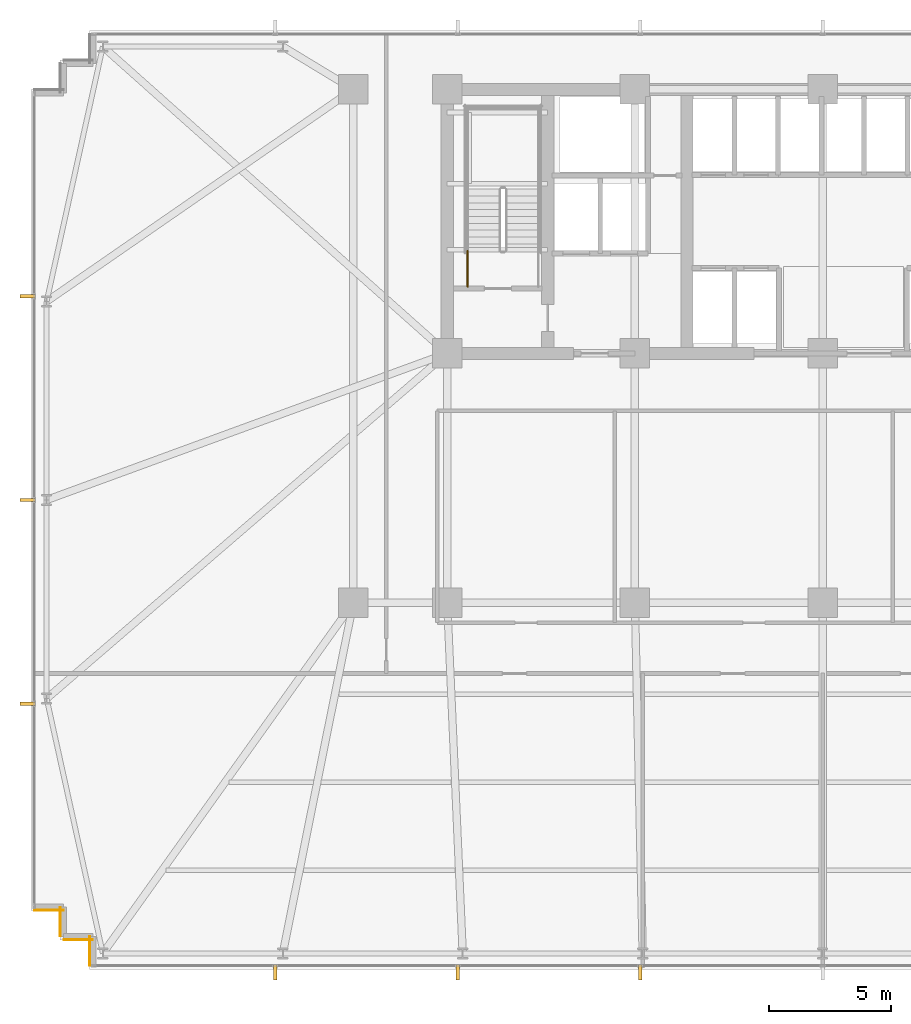
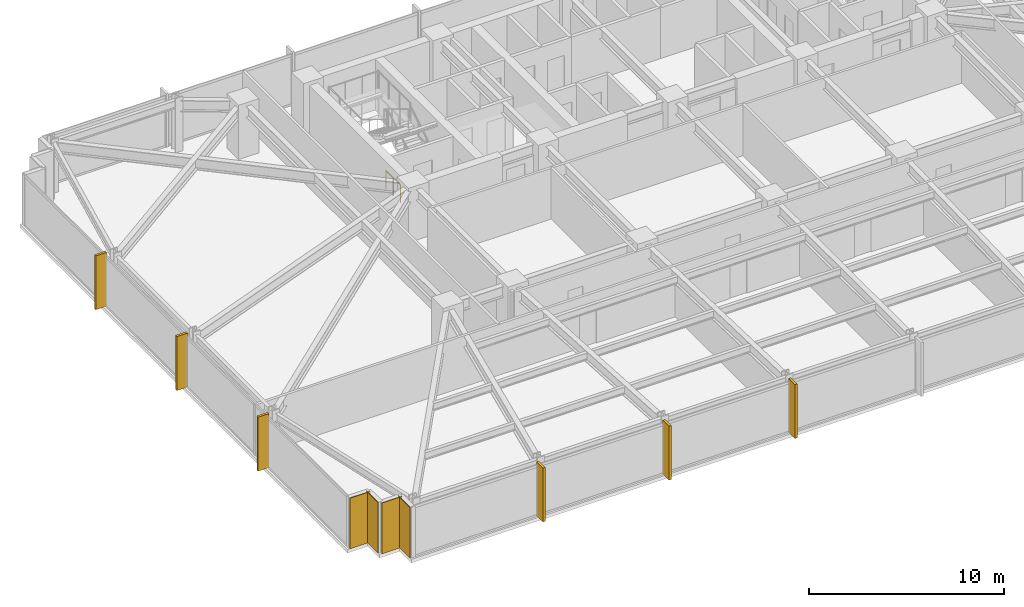
# One storey, part 27 of 33: 6 shading devices, 4 coverings, 1 railing.
"""IFC4 building model written with IfcOpenShell, lengths in metres."""

from ifc_helpers import new_model, si_unit, direction, frame, frame_2d, origin, origin_2d, place, context, subcontext, project, spatial, rectangle, circle, extrude, material, layer, layer_set, type_object, element, save


model = new_model("IFC4")

# Units and contexts
model_context = context("Model", 3, precision=1e-05, world=origin(), true_north=direction((0.0, 1.0)))
body_context = subcontext(model_context, "Body", "Model", "MODEL_VIEW")
ifc_project = project(units=[si_unit("LENGTHUNIT", "METRE"), si_unit("AREAUNIT", "SQUARE_METRE"), si_unit("VOLUMEUNIT", "CUBIC_METRE"), si_unit("PLANEANGLEUNIT", "RADIAN"), si_unit("MASSUNIT", "GRAM", prefix="KILO")], contexts=[model_context])

# Site, building, storey
site_placement = place(None, origin())
site = spatial("IfcSite", under=ifc_project, at=site_placement, CompositionType="ELEMENT")
building_placement = place(site_placement, origin())
building = spatial("IfcBuilding", under=site, at=building_placement, Name="Yelkora Congress Tower", CompositionType="ELEMENT")
storey_placement = place(building_placement, frame((0.0, 0.0, 47.39990234375)))
storey = spatial("IfcBuildingStorey", under=building, at=storey_placement, Name="L11", CompositionType="ELEMENT", Elevation=47.39990234375)

# Coverings
ifc_material_1 = material(Name="Anatolian bush-hammered limestone", Category="masonry")
ifc_layer_1 = layer(ifc_material_1, 0.0400390625)
ifc_layer_set_1 = layer_set([ifc_layer_1], Name="Anatolian bush-hammered limestone")
covering_type = type_object("IfcCoveringType", Name="COV-CLAD-SPANDREL-40", PredefinedType="CLADDING", material=ifc_layer_set_1)
for number, where, z_axis, x_axis, name in (
    (1, (8.405029296875, 10.340087890625, 0.0), (0.0, 0.0, 1.0), (0.0, 1.0, 0.0), "L11 Anatolian Limestone Cladding EW-L11-SR01"),
    (2, (8.5400390625, 11.405029296875, 0.0), (0.0, 0.0, 1.0), (-1.0, 0.0, 0.0), "L11 Anatolian Limestone Cladding EW-L11-SR02"),
    (3, (7.205078125, 11.5400390625, 0.0), (0.0, 0.0, 1.0), (0.0, 1.0, 0.0), "L11 Anatolian Limestone Cladding EW-L11-SR03"),
):
    element("IfcCovering", number, at=place(storey_placement, frame(where, z_axis=z_axis, x_axis=x_axis)), inside=storey, type_object=covering_type, Name=name, PredefinedType="CLADDING", context=body_context, shape_type="SweptSolid", body=[
        extrude(rectangle(XDim=1.199951171875, YDim=0.0400390625, at=frame_2d((0.60009765625, 0.0))), origin(), (0.0, 0.0, 1.0), 3.18017578125),
    ])
covering_placement = place(storey_placement, frame((7.340087890625, 12.60498046875, 0.0), z_axis=(0.0, 0.0, 1.0), x_axis=(-1.0, 0.0, 0.0)))
element("IfcCovering", 4, at=covering_placement, inside=storey, type_object=covering_type, Name="L11 Anatolian Limestone Cladding EW-L11-SR04", PredefinedType="CLADDING", context=body_context, shape_type="SweptSolid", body=[
    extrude(rectangle(XDim=1.2001953125, YDim=0.0400390625, at=frame_2d((0.60009765625, 0.0))), origin(), (0.0, 0.0, 1.0), 3.18017578125),
])

# Railing
ifc_material_2 = material(Name="Painted galvanised steel stair well guard with vertical infill", Category="steel")
ifc_layer_2 = layer(ifc_material_2, 0.06005859375)
ifc_layer_set_2 = layer_set([ifc_layer_2], Name="Painted galvanised steel stair well guard with vertical infill")
railing_type = type_object("IfcRailingType", Name="RAIL-STAIR-GUARD-1120", PredefinedType="GUARDRAIL", material=ifc_layer_set_2)
railing_placement = place(storey_placement, frame((23.8701171875, 38.1201171875, 0.0)))
element("IfcRailing", 5, at=railing_placement, inside=storey, type_object=railing_type, Name="ST-01 L11 Stair Well Guardrail 9", PredefinedType="GUARDRAIL", context=body_context, shape_type="SweptSolid", body=[
    extrude(circle(Radius=0.02392578125, at=origin_2d()), frame((0.0, 0.0, 1.09619140625), z_axis=(0.0, 1.0, 0.0), x_axis=(-1.0, 0.0, 0.0)), (0.0, 0.0, 1.0), 1.47998046875),
    extrude(circle(Radius=0.02099609375, at=origin_2d()), origin(), (0.0, 0.0, 1.0), 1.072021484375),
    extrude(circle(Radius=0.02099609375, at=origin_2d()), frame((0.0, 0.739990234375, 0.0)), (0.0, 0.0, 1.0), 1.072021484375),
    extrude(circle(Radius=0.02099609375, at=origin_2d()), frame((0.0, 1.47998046875, 0.0)), (0.0, 0.0, 1.0), 1.072021484375),
])

# Shading devices
ifc_material_3 = material(Name="Champagne anodised aluminium", Category="aluminium")
ifc_layer_3 = layer(ifc_material_3, 3.39990234375)
ifc_layer_set_3 = layer_set([ifc_layer_3], Name="Champagne anodised aluminium")
shading_device_type = type_object("IfcShadingDeviceType", Name="SHD-FIN-ALU-640", PredefinedType="USERDEFINED", material=ifc_layer_set_3)
for number, where, z_axis, x_axis, name in (
    (6, (5.8798828125, 21.070068359375, -0.02978515625), (0.0, 0.0, 1.0), (0.0, 1.0, 0.0), "L11 Vertical Anodised Solar Fin 5-1"),
    (7, (5.8798828125, 29.39990234375, -0.02978515625), (0.0, 0.0, 1.0), (0.0, 1.0, 0.0), "L11 Vertical Anodised Solar Fin 5-2"),
    (8, (5.8798828125, 37.72998046875, -0.02978515625), (0.0, 0.0, 1.0), (0.0, 1.0, 0.0), "L11 Vertical Anodised Solar Fin 5-3"),
    (9, (30.93505859375, 10.080078125, -0.02978515625), (0.0, 0.0, 1.0), (-1.0, 0.0, 0.0), "L11 Vertical Anodised Solar Fin 20-5"),
    (10, (23.469970703125, 10.080078125, -0.02978515625), (0.0, 0.0, 1.0), (-1.0, 0.0, 0.0), "L11 Vertical Anodised Solar Fin 20-6"),
    (11, (16.0048828125, 10.080078125, -0.02978515625), (0.0, 0.0, 1.0), (-1.0, 0.0, 0.0), "L11 Vertical Anodised Solar Fin 20-7"),
):
    element("IfcShadingDevice", number, at=place(storey_placement, frame(where, z_axis=z_axis, x_axis=x_axis)), inside=storey, type_object=shading_device_type, Name=name, ObjectType="FIN", PredefinedType="USERDEFINED", context=body_context, shape_type="SweptSolid", body=[
        extrude(rectangle(XDim=0.139892578125, YDim=0.639892578125, at=origin_2d()), origin(), (0.0, 0.0, 1.0), 3.3798828125),
    ])

save(model, "model.ifc")
